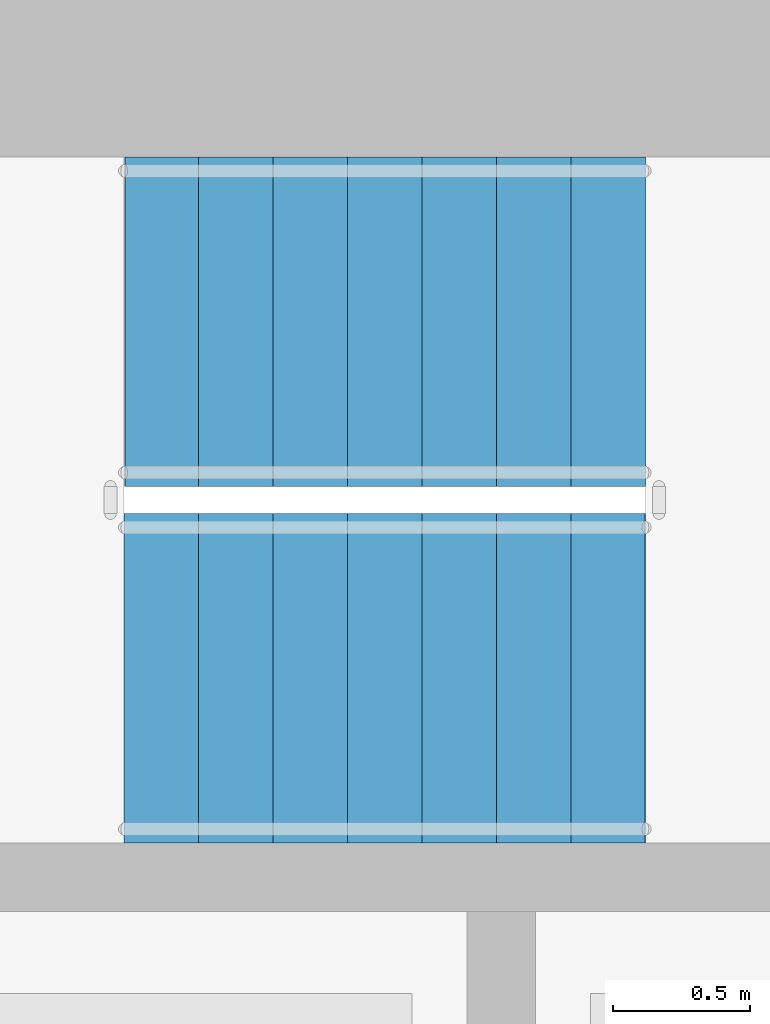
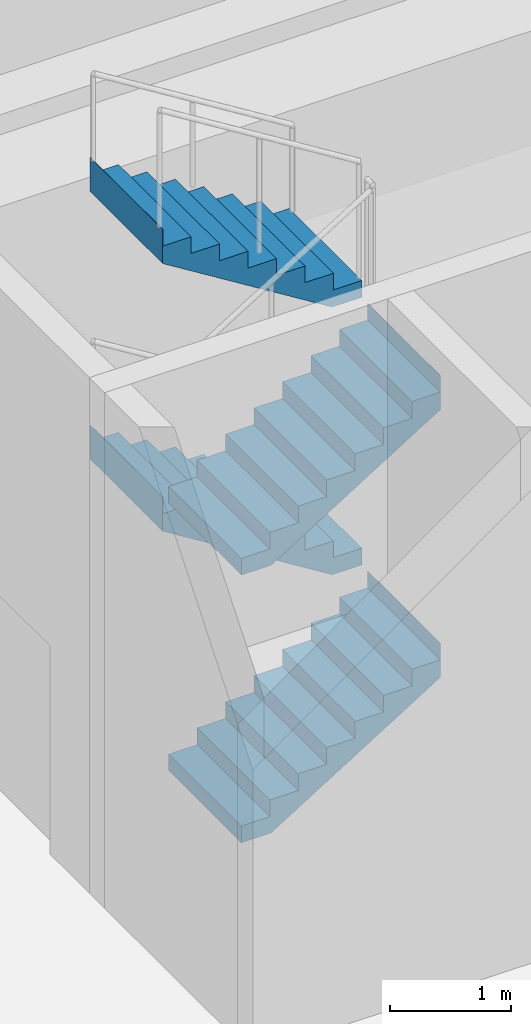
# One storey, part 9 of 18: 4 stair flights, 1 element without a shape of its own.
"""IFC4 building model written with IfcOpenShell, lengths in metres."""

from ifc_helpers import new_model, si_unit, direction, frame, origin, place, context, subcontext, project, spatial, triangles, material, type_object, element, aggregate, save


model = new_model("IFC4")

# Units and contexts
model_context = context("Model", 3, precision=1e-05, world=origin(), true_north=direction((0.0, 1.0)))
body_context = subcontext(model_context, "Body", "Model", "MODEL_VIEW")
ifc_project = project(units=[si_unit("LENGTHUNIT", "METRE"), si_unit("AREAUNIT", "SQUARE_METRE"), si_unit("VOLUMEUNIT", "CUBIC_METRE"), si_unit("PLANEANGLEUNIT", "RADIAN"), si_unit("MASSUNIT", "GRAM", prefix="KILO")], contexts=[model_context])

# Site, building, storey
site_placement = place(None, origin())
site = spatial("IfcSite", under=ifc_project, at=site_placement, CompositionType="ELEMENT")
building_placement = place(site_placement, origin())
building = spatial("IfcBuilding", under=site, at=building_placement, Name="Sahrelin Media Tower", CompositionType="ELEMENT")
storey_placement = place(building_placement, frame((0.0, 0.0, 197.60009765625)))
storey = spatial("IfcBuildingStorey", under=building, at=storey_placement, Name="L42", CompositionType="ELEMENT", Elevation=197.60009765625)

# Stair, stair flights
ifc_material = material(Name="Concrete C40/50", Category="concrete")
stair_type = type_object("IfcStairType", Name="Exit stair 1200", PredefinedType="HALF_TURN_STAIR", material=ifc_material)
stair_placement = place(storey_placement, origin())
stair = element("IfcStair", 1, at=stair_placement, inside=storey, type_object=stair_type, Name="L42 Exit stair ST1", PredefinedType="HALF_TURN_STAIR")
stair_flight_type = type_object("IfcStairFlightType", Name="Stair flight 1200", PredefinedType="STRAIGHT", material=ifc_material)
stair_flight_1_placement = place(storey_placement, frame((-7.675048828125, 4.699951171875, 0.0), z_axis=(0.0, 0.0, 1.0), x_axis=(1.0, 0.0, 0.0)))
stair_flight_1 = element("IfcStairFlight", 2, at=stair_flight_1_placement, type_object=stair_flight_type, Name="ST1 flight 1", NumberOfRisers=8, NumberOfTreads=7, PredefinedType="STRAIGHT", RiserHeight=0.16875, TreadLength=0.271428571, context=body_context, shape_type="Tessellation", body=[
    triangles([(0.283935546875, 0.60009765625, 0.0), (0.283935546875, 0.300048828125, 0.0), (0.283935546875, 0.0, 0.0), (0.283935546875, -0.300048828125, 0.0), (0.283935546875, -0.60009765625, 0.0), (1.89990234375, 0.60009765625, 1.004638671875), (1.89990234375, 0.300048828125, 1.004638671875), (1.89990234375, 0.0, 1.004638671875), (1.89990234375, -0.300048828125, 1.004638671875), (1.89990234375, -0.60009765625, 1.004638671875), (1.89990234375, 0.60009765625, 1.35009765625), (1.89990234375, 0.300048828125, 1.35009765625), (1.89990234375, 0.0, 1.35009765625), (1.89990234375, -0.300048828125, 1.35009765625), (1.89990234375, -0.60009765625, 1.35009765625), (1.89794921875, 0.60009765625, 1.35009765625), (1.89794921875, 0.300048828125, 1.35009765625), (1.89794921875, 0.0, 1.35009765625), (1.89794921875, -0.300048828125, 1.35009765625), (1.89794921875, -0.60009765625, 1.35009765625), (1.89794921875, 0.60009765625, 1.18115234375), (1.89794921875, 0.300048828125, 1.18115234375), (1.89794921875, 0.0, 1.18115234375), (1.89794921875, -0.300048828125, 1.18115234375), (1.89794921875, -0.60009765625, 1.18115234375), (1.628662109375, 0.60009765625, 1.18115234375), (1.628662109375, 0.300048828125, 1.18115234375), (1.628662109375, 0.0, 1.18115234375), (1.628662109375, -0.300048828125, 1.18115234375), (1.628662109375, -0.60009765625, 1.18115234375), (1.628662109375, 0.60009765625, 1.012451171875), (1.628662109375, 0.300048828125, 1.012451171875), (1.628662109375, 0.0, 1.012451171875), (1.628662109375, -0.300048828125, 1.012451171875), (1.628662109375, -0.60009765625, 1.012451171875), (1.357177734375, 0.60009765625, 1.012451171875), (1.357177734375, 0.300048828125, 1.012451171875), (1.357177734375, 0.0, 1.012451171875), (1.357177734375, -0.300048828125, 1.012451171875), (1.357177734375, -0.60009765625, 1.012451171875), (1.357177734375, 0.60009765625, 0.84375), (1.357177734375, 0.300048828125, 0.84375), (1.357177734375, 0.0, 0.84375), (1.357177734375, -0.300048828125, 0.84375), (1.357177734375, -0.60009765625, 0.84375), (1.085693359375, 0.60009765625, 0.84375), (1.085693359375, 0.300048828125, 0.84375), (1.085693359375, 0.0, 0.84375), (1.085693359375, -0.300048828125, 0.84375), (1.085693359375, -0.60009765625, 0.84375), (1.085693359375, 0.60009765625, 0.675048828125), (1.085693359375, 0.300048828125, 0.675048828125), (1.085693359375, 0.0, 0.675048828125), (1.085693359375, -0.300048828125, 0.675048828125), (1.085693359375, -0.60009765625, 0.675048828125), (0.814208984375, 0.60009765625, 0.675048828125), (0.814208984375, 0.300048828125, 0.675048828125), (0.814208984375, 0.0, 0.675048828125), (0.814208984375, -0.300048828125, 0.675048828125), (0.814208984375, -0.60009765625, 0.675048828125), (0.814208984375, 0.60009765625, 0.50634765625), (0.814208984375, 0.300048828125, 0.50634765625), (0.814208984375, 0.0, 0.50634765625), (0.814208984375, -0.300048828125, 0.50634765625), (0.814208984375, -0.60009765625, 0.50634765625), (0.54296875, 0.60009765625, 0.50634765625), (0.54296875, 0.300048828125, 0.50634765625), (0.54296875, 0.0, 0.50634765625), (0.54296875, -0.300048828125, 0.50634765625), (0.54296875, -0.60009765625, 0.50634765625), (0.54296875, 0.60009765625, 0.33740234375), (0.54296875, 0.300048828125, 0.33740234375), (0.54296875, 0.0, 0.33740234375), (0.54296875, -0.300048828125, 0.33740234375), (0.54296875, -0.60009765625, 0.33740234375), (0.271484375, 0.60009765625, 0.33740234375), (0.271484375, 0.300048828125, 0.33740234375), (0.271484375, 0.0, 0.33740234375), (0.271484375, -0.300048828125, 0.33740234375), (0.271484375, -0.60009765625, 0.33740234375), (0.271484375, 0.60009765625, 0.168701171875), (0.271484375, 0.300048828125, 0.168701171875), (0.271484375, 0.0, 0.168701171875), (0.271484375, -0.300048828125, 0.168701171875), (0.271484375, -0.60009765625, 0.168701171875), (0.0, 0.60009765625, 0.168701171875), (0.0, 0.300048828125, 0.168701171875), (0.0, 0.0, 0.168701171875), (0.0, -0.300048828125, 0.168701171875), (0.0, -0.60009765625, 0.168701171875), (0.0, 0.60009765625, 0.0), (0.0, 0.300048828125, 0.0), (0.0, 0.0, 0.0), (0.0, -0.300048828125, 0.0), (0.0, -0.60009765625, 0.0)], [[1, 6, 7], [1, 7, 2], [2, 7, 8], [2, 8, 3], [3, 8, 9], [3, 9, 4], [4, 9, 10], [4, 10, 5], [6, 11, 12], [6, 12, 7], [7, 12, 13], [7, 13, 8], [8, 13, 14], [8, 14, 9], [9, 14, 15], [9, 15, 10], [11, 16, 17], [11, 17, 12], [12, 17, 18], [12, 18, 13], [13, 18, 19], [13, 19, 14], [14, 19, 20], [14, 20, 15], [16, 21, 22], [16, 22, 17], [17, 22, 23], [17, 23, 18], [18, 23, 24], [18, 24, 19], [19, 24, 25], [19, 25, 20], [21, 26, 27], [21, 27, 22], [22, 27, 28], [22, 28, 23], [23, 28, 29], [23, 29, 24], [24, 29, 30], [24, 30, 25], [26, 31, 32], [26, 32, 27], [27, 32, 33], [27, 33, 28], [28, 33, 34], [28, 34, 29], [29, 34, 35], [29, 35, 30], [31, 36, 37], [31, 37, 32], [32, 37, 38], [32, 38, 33], [33, 38, 39], [33, 39, 34], [34, 39, 40], [34, 40, 35], [36, 41, 42], [36, 42, 37], [37, 42, 43], [37, 43, 38], [38, 43, 44], [38, 44, 39], [39, 44, 45], [39, 45, 40], [41, 46, 47], [41, 47, 42], [42, 47, 48], [42, 48, 43], [43, 48, 49], [43, 49, 44], [44, 49, 50], [44, 50, 45], [46, 51, 52], [46, 52, 47], [47, 52, 53], [47, 53, 48], [48, 53, 54], [48, 54, 49], [49, 54, 55], [49, 55, 50], [51, 56, 57], [51, 57, 52], [52, 57, 58], [52, 58, 53], [53, 58, 59], [53, 59, 54], [54, 59, 60], [54, 60, 55], [56, 61, 62], [56, 62, 57], [57, 62, 63], [57, 63, 58], [58, 63, 64], [58, 64, 59], [59, 64, 65], [59, 65, 60], [61, 66, 67], [61, 67, 62], [62, 67, 68], [62, 68, 63], [63, 68, 69], [63, 69, 64], [64, 69, 70], [64, 70, 65], [66, 71, 72], [66, 72, 67], [67, 72, 73], [67, 73, 68], [68, 73, 74], [68, 74, 69], [69, 74, 75], [69, 75, 70], [71, 76, 77], [71, 77, 72], [72, 77, 78], [72, 78, 73], [73, 78, 79], [73, 79, 74], [74, 79, 80], [74, 80, 75], [76, 81, 82], [76, 82, 77], [77, 82, 83], [77, 83, 78], [78, 83, 84], [78, 84, 79], [79, 84, 85], [79, 85, 80], [81, 86, 87], [81, 87, 82], [82, 87, 88], [82, 88, 83], [83, 88, 89], [83, 89, 84], [84, 89, 90], [84, 90, 85], [86, 91, 92], [86, 92, 87], [87, 92, 93], [87, 93, 88], [88, 93, 94], [88, 94, 89], [89, 94, 95], [89, 95, 90], [91, 1, 2], [91, 2, 92], [92, 2, 3], [92, 3, 93], [93, 3, 4], [93, 4, 94], [94, 4, 5], [94, 5, 95], [85, 90, 95], [81, 91, 86], [85, 75, 80], [81, 76, 71], [75, 65, 70], [71, 66, 61], [65, 55, 60], [61, 56, 51], [55, 45, 50], [51, 46, 41], [45, 35, 40], [41, 36, 31], [35, 25, 30], [31, 26, 21], [25, 15, 20], [21, 16, 11], [95, 5, 85], [91, 81, 1], [5, 55, 65], [1, 61, 51], [25, 10, 15], [21, 11, 6], [75, 85, 5], [71, 1, 81], [10, 45, 55], [6, 51, 41], [35, 10, 25], [31, 21, 6], [65, 75, 5], [61, 1, 71], [45, 10, 35], [41, 31, 6], [5, 10, 55], [1, 51, 6]], closed=True),
])
stair_flight_2_placement = place(storey_placement, frame((-5.77490234375, 6.0, 1.349853515625), z_axis=(0.0, 0.0, 1.0), x_axis=(-1.0, 0.0, 0.0)))
stair_flight_2 = element("IfcStairFlight", 3, at=stair_flight_2_placement, type_object=stair_flight_type, Name="ST1 flight 2", NumberOfRisers=8, NumberOfTreads=7, PredefinedType="STRAIGHT", RiserHeight=0.16875, TreadLength=0.271428571, context=body_context, shape_type="Tessellation", body=[
    triangles([(0.283935546875, 0.60009765625, 0.0), (0.283935546875, 0.300048828125, 0.0), (0.283935546875, 0.0, 0.0), (0.283935546875, -0.300048828125, 0.0), (0.283935546875, -0.60009765625, 0.0), (1.89990234375, 0.60009765625, 1.004638671875), (1.89990234375, 0.300048828125, 1.004638671875), (1.89990234375, 0.0, 1.004638671875), (1.89990234375, -0.300048828125, 1.004638671875), (1.89990234375, -0.60009765625, 1.004638671875), (1.89990234375, 0.60009765625, 1.35009765625), (1.89990234375, 0.300048828125, 1.35009765625), (1.89990234375, 0.0, 1.35009765625), (1.89990234375, -0.300048828125, 1.35009765625), (1.89990234375, -0.60009765625, 1.35009765625), (1.89794921875, 0.60009765625, 1.35009765625), (1.89794921875, 0.300048828125, 1.35009765625), (1.89794921875, 0.0, 1.35009765625), (1.89794921875, -0.300048828125, 1.35009765625), (1.89794921875, -0.60009765625, 1.35009765625), (1.89794921875, 0.60009765625, 1.18115234375), (1.89794921875, 0.300048828125, 1.18115234375), (1.89794921875, 0.0, 1.18115234375), (1.89794921875, -0.300048828125, 1.18115234375), (1.89794921875, -0.60009765625, 1.18115234375), (1.628662109375, 0.60009765625, 1.18115234375), (1.628662109375, 0.300048828125, 1.18115234375), (1.628662109375, 0.0, 1.18115234375), (1.628662109375, -0.300048828125, 1.18115234375), (1.628662109375, -0.60009765625, 1.18115234375), (1.628662109375, 0.60009765625, 1.012451171875), (1.628662109375, 0.300048828125, 1.012451171875), (1.628662109375, 0.0, 1.012451171875), (1.628662109375, -0.300048828125, 1.012451171875), (1.628662109375, -0.60009765625, 1.012451171875), (1.357177734375, 0.60009765625, 1.012451171875), (1.357177734375, 0.300048828125, 1.012451171875), (1.357177734375, 0.0, 1.012451171875), (1.357177734375, -0.300048828125, 1.012451171875), (1.357177734375, -0.60009765625, 1.012451171875), (1.357177734375, 0.60009765625, 0.84375), (1.357177734375, 0.300048828125, 0.84375), (1.357177734375, 0.0, 0.84375), (1.357177734375, -0.300048828125, 0.84375), (1.357177734375, -0.60009765625, 0.84375), (1.085693359375, 0.60009765625, 0.84375), (1.085693359375, 0.300048828125, 0.84375), (1.085693359375, 0.0, 0.84375), (1.085693359375, -0.300048828125, 0.84375), (1.085693359375, -0.60009765625, 0.84375), (1.085693359375, 0.60009765625, 0.675048828125), (1.085693359375, 0.300048828125, 0.675048828125), (1.085693359375, 0.0, 0.675048828125), (1.085693359375, -0.300048828125, 0.675048828125), (1.085693359375, -0.60009765625, 0.675048828125), (0.814208984375, 0.60009765625, 0.675048828125), (0.814208984375, 0.300048828125, 0.675048828125), (0.814208984375, 0.0, 0.675048828125), (0.814208984375, -0.300048828125, 0.675048828125), (0.814208984375, -0.60009765625, 0.675048828125), (0.814208984375, 0.60009765625, 0.50634765625), (0.814208984375, 0.300048828125, 0.50634765625), (0.814208984375, 0.0, 0.50634765625), (0.814208984375, -0.300048828125, 0.50634765625), (0.814208984375, -0.60009765625, 0.50634765625), (0.54296875, 0.60009765625, 0.50634765625), (0.54296875, 0.300048828125, 0.50634765625), (0.54296875, 0.0, 0.50634765625), (0.54296875, -0.300048828125, 0.50634765625), (0.54296875, -0.60009765625, 0.50634765625), (0.54296875, 0.60009765625, 0.33740234375), (0.54296875, 0.300048828125, 0.33740234375), (0.54296875, 0.0, 0.33740234375), (0.54296875, -0.300048828125, 0.33740234375), (0.54296875, -0.60009765625, 0.33740234375), (0.271484375, 0.60009765625, 0.33740234375), (0.271484375, 0.300048828125, 0.33740234375), (0.271484375, 0.0, 0.33740234375), (0.271484375, -0.300048828125, 0.33740234375), (0.271484375, -0.60009765625, 0.33740234375), (0.271484375, 0.60009765625, 0.168701171875), (0.271484375, 0.300048828125, 0.168701171875), (0.271484375, 0.0, 0.168701171875), (0.271484375, -0.300048828125, 0.168701171875), (0.271484375, -0.60009765625, 0.168701171875), (0.0, 0.60009765625, 0.168701171875), (0.0, 0.300048828125, 0.168701171875), (0.0, 0.0, 0.168701171875), (0.0, -0.300048828125, 0.168701171875), (0.0, -0.60009765625, 0.168701171875), (0.0, 0.60009765625, 0.0), (0.0, 0.300048828125, 0.0), (0.0, 0.0, 0.0), (0.0, -0.300048828125, 0.0), (0.0, -0.60009765625, 0.0)], [[1, 6, 7], [1, 7, 2], [2, 7, 8], [2, 8, 3], [3, 8, 9], [3, 9, 4], [4, 9, 10], [4, 10, 5], [6, 11, 12], [6, 12, 7], [7, 12, 13], [7, 13, 8], [8, 13, 14], [8, 14, 9], [9, 14, 15], [9, 15, 10], [11, 16, 17], [11, 17, 12], [12, 17, 18], [12, 18, 13], [13, 18, 19], [13, 19, 14], [14, 19, 20], [14, 20, 15], [16, 21, 22], [16, 22, 17], [17, 22, 23], [17, 23, 18], [18, 23, 24], [18, 24, 19], [19, 24, 25], [19, 25, 20], [21, 26, 27], [21, 27, 22], [22, 27, 28], [22, 28, 23], [23, 28, 29], [23, 29, 24], [24, 29, 30], [24, 30, 25], [26, 31, 32], [26, 32, 27], [27, 32, 33], [27, 33, 28], [28, 33, 34], [28, 34, 29], [29, 34, 35], [29, 35, 30], [31, 36, 37], [31, 37, 32], [32, 37, 38], [32, 38, 33], [33, 38, 39], [33, 39, 34], [34, 39, 40], [34, 40, 35], [36, 41, 42], [36, 42, 37], [37, 42, 43], [37, 43, 38], [38, 43, 44], [38, 44, 39], [39, 44, 45], [39, 45, 40], [41, 46, 47], [41, 47, 42], [42, 47, 48], [42, 48, 43], [43, 48, 49], [43, 49, 44], [44, 49, 50], [44, 50, 45], [46, 51, 52], [46, 52, 47], [47, 52, 53], [47, 53, 48], [48, 53, 54], [48, 54, 49], [49, 54, 55], [49, 55, 50], [51, 56, 57], [51, 57, 52], [52, 57, 58], [52, 58, 53], [53, 58, 59], [53, 59, 54], [54, 59, 60], [54, 60, 55], [56, 61, 62], [56, 62, 57], [57, 62, 63], [57, 63, 58], [58, 63, 64], [58, 64, 59], [59, 64, 65], [59, 65, 60], [61, 66, 67], [61, 67, 62], [62, 67, 68], [62, 68, 63], [63, 68, 69], [63, 69, 64], [64, 69, 70], [64, 70, 65], [66, 71, 72], [66, 72, 67], [67, 72, 73], [67, 73, 68], [68, 73, 74], [68, 74, 69], [69, 74, 75], [69, 75, 70], [71, 76, 77], [71, 77, 72], [72, 77, 78], [72, 78, 73], [73, 78, 79], [73, 79, 74], [74, 79, 80], [74, 80, 75], [76, 81, 82], [76, 82, 77], [77, 82, 83], [77, 83, 78], [78, 83, 84], [78, 84, 79], [79, 84, 85], [79, 85, 80], [81, 86, 87], [81, 87, 82], [82, 87, 88], [82, 88, 83], [83, 88, 89], [83, 89, 84], [84, 89, 90], [84, 90, 85], [86, 91, 92], [86, 92, 87], [87, 92, 93], [87, 93, 88], [88, 93, 94], [88, 94, 89], [89, 94, 95], [89, 95, 90], [91, 1, 2], [91, 2, 92], [92, 2, 3], [92, 3, 93], [93, 3, 4], [93, 4, 94], [94, 4, 5], [94, 5, 95], [85, 90, 95], [81, 91, 86], [85, 75, 80], [81, 76, 71], [75, 65, 70], [71, 66, 61], [65, 55, 60], [61, 56, 51], [55, 45, 50], [51, 46, 41], [45, 35, 40], [41, 36, 31], [35, 25, 30], [31, 26, 21], [25, 15, 20], [21, 16, 11], [95, 5, 85], [91, 81, 1], [5, 55, 65], [1, 61, 51], [25, 10, 15], [21, 11, 6], [75, 85, 5], [71, 1, 81], [10, 45, 55], [6, 51, 41], [35, 10, 25], [31, 21, 6], [65, 75, 5], [61, 1, 71], [45, 10, 35], [41, 31, 6], [5, 10, 55], [1, 51, 6]], closed=True),
])
stair_flight_3_placement = place(storey_placement, frame((-7.675048828125, 4.699951171875, 2.699951171875), z_axis=(0.0, 0.0, 1.0), x_axis=(1.0, 0.0, 0.0)))
stair_flight_3 = element("IfcStairFlight", 4, at=stair_flight_3_placement, type_object=stair_flight_type, Name="ST1 flight 3", NumberOfRisers=8, NumberOfTreads=7, PredefinedType="STRAIGHT", RiserHeight=0.16875, TreadLength=0.271428571, context=body_context, shape_type="Tessellation", body=[
    triangles([(0.283935546875, 0.60009765625, 0.0), (0.283935546875, 0.300048828125, 0.0), (0.283935546875, 0.0, 0.0), (0.283935546875, -0.300048828125, 0.0), (0.283935546875, -0.60009765625, 0.0), (1.89990234375, 0.60009765625, 1.004638671875), (1.89990234375, 0.300048828125, 1.004638671875), (1.89990234375, 0.0, 1.004638671875), (1.89990234375, -0.300048828125, 1.004638671875), (1.89990234375, -0.60009765625, 1.004638671875), (1.89990234375, 0.60009765625, 1.35009765625), (1.89990234375, 0.300048828125, 1.35009765625), (1.89990234375, 0.0, 1.35009765625), (1.89990234375, -0.300048828125, 1.35009765625), (1.89990234375, -0.60009765625, 1.35009765625), (1.89794921875, 0.60009765625, 1.35009765625), (1.89794921875, 0.300048828125, 1.35009765625), (1.89794921875, 0.0, 1.35009765625), (1.89794921875, -0.300048828125, 1.35009765625), (1.89794921875, -0.60009765625, 1.35009765625), (1.89794921875, 0.60009765625, 1.18115234375), (1.89794921875, 0.300048828125, 1.18115234375), (1.89794921875, 0.0, 1.18115234375), (1.89794921875, -0.300048828125, 1.18115234375), (1.89794921875, -0.60009765625, 1.18115234375), (1.628662109375, 0.60009765625, 1.18115234375), (1.628662109375, 0.300048828125, 1.18115234375), (1.628662109375, 0.0, 1.18115234375), (1.628662109375, -0.300048828125, 1.18115234375), (1.628662109375, -0.60009765625, 1.18115234375), (1.628662109375, 0.60009765625, 1.012451171875), (1.628662109375, 0.300048828125, 1.012451171875), (1.628662109375, 0.0, 1.012451171875), (1.628662109375, -0.300048828125, 1.012451171875), (1.628662109375, -0.60009765625, 1.012451171875), (1.357177734375, 0.60009765625, 1.012451171875), (1.357177734375, 0.300048828125, 1.012451171875), (1.357177734375, 0.0, 1.012451171875), (1.357177734375, -0.300048828125, 1.012451171875), (1.357177734375, -0.60009765625, 1.012451171875), (1.357177734375, 0.60009765625, 0.84375), (1.357177734375, 0.300048828125, 0.84375), (1.357177734375, 0.0, 0.84375), (1.357177734375, -0.300048828125, 0.84375), (1.357177734375, -0.60009765625, 0.84375), (1.085693359375, 0.60009765625, 0.84375), (1.085693359375, 0.300048828125, 0.84375), (1.085693359375, 0.0, 0.84375), (1.085693359375, -0.300048828125, 0.84375), (1.085693359375, -0.60009765625, 0.84375), (1.085693359375, 0.60009765625, 0.675048828125), (1.085693359375, 0.300048828125, 0.675048828125), (1.085693359375, 0.0, 0.675048828125), (1.085693359375, -0.300048828125, 0.675048828125), (1.085693359375, -0.60009765625, 0.675048828125), (0.814208984375, 0.60009765625, 0.675048828125), (0.814208984375, 0.300048828125, 0.675048828125), (0.814208984375, 0.0, 0.675048828125), (0.814208984375, -0.300048828125, 0.675048828125), (0.814208984375, -0.60009765625, 0.675048828125), (0.814208984375, 0.60009765625, 0.50634765625), (0.814208984375, 0.300048828125, 0.50634765625), (0.814208984375, 0.0, 0.50634765625), (0.814208984375, -0.300048828125, 0.50634765625), (0.814208984375, -0.60009765625, 0.50634765625), (0.54296875, 0.60009765625, 0.50634765625), (0.54296875, 0.300048828125, 0.50634765625), (0.54296875, 0.0, 0.50634765625), (0.54296875, -0.300048828125, 0.50634765625), (0.54296875, -0.60009765625, 0.50634765625), (0.54296875, 0.60009765625, 0.33740234375), (0.54296875, 0.300048828125, 0.33740234375), (0.54296875, 0.0, 0.33740234375), (0.54296875, -0.300048828125, 0.33740234375), (0.54296875, -0.60009765625, 0.33740234375), (0.271484375, 0.60009765625, 0.33740234375), (0.271484375, 0.300048828125, 0.33740234375), (0.271484375, 0.0, 0.33740234375), (0.271484375, -0.300048828125, 0.33740234375), (0.271484375, -0.60009765625, 0.33740234375), (0.271484375, 0.60009765625, 0.168701171875), (0.271484375, 0.300048828125, 0.168701171875), (0.271484375, 0.0, 0.168701171875), (0.271484375, -0.300048828125, 0.168701171875), (0.271484375, -0.60009765625, 0.168701171875), (0.0, 0.60009765625, 0.168701171875), (0.0, 0.300048828125, 0.168701171875), (0.0, 0.0, 0.168701171875), (0.0, -0.300048828125, 0.168701171875), (0.0, -0.60009765625, 0.168701171875), (0.0, 0.60009765625, 0.0), (0.0, 0.300048828125, 0.0), (0.0, 0.0, 0.0), (0.0, -0.300048828125, 0.0), (0.0, -0.60009765625, 0.0)], [[1, 6, 7], [1, 7, 2], [2, 7, 8], [2, 8, 3], [3, 8, 9], [3, 9, 4], [4, 9, 10], [4, 10, 5], [6, 11, 12], [6, 12, 7], [7, 12, 13], [7, 13, 8], [8, 13, 14], [8, 14, 9], [9, 14, 15], [9, 15, 10], [11, 16, 17], [11, 17, 12], [12, 17, 18], [12, 18, 13], [13, 18, 19], [13, 19, 14], [14, 19, 20], [14, 20, 15], [16, 21, 22], [16, 22, 17], [17, 22, 23], [17, 23, 18], [18, 23, 24], [18, 24, 19], [19, 24, 25], [19, 25, 20], [21, 26, 27], [21, 27, 22], [22, 27, 28], [22, 28, 23], [23, 28, 29], [23, 29, 24], [24, 29, 30], [24, 30, 25], [26, 31, 32], [26, 32, 27], [27, 32, 33], [27, 33, 28], [28, 33, 34], [28, 34, 29], [29, 34, 35], [29, 35, 30], [31, 36, 37], [31, 37, 32], [32, 37, 38], [32, 38, 33], [33, 38, 39], [33, 39, 34], [34, 39, 40], [34, 40, 35], [36, 41, 42], [36, 42, 37], [37, 42, 43], [37, 43, 38], [38, 43, 44], [38, 44, 39], [39, 44, 45], [39, 45, 40], [41, 46, 47], [41, 47, 42], [42, 47, 48], [42, 48, 43], [43, 48, 49], [43, 49, 44], [44, 49, 50], [44, 50, 45], [46, 51, 52], [46, 52, 47], [47, 52, 53], [47, 53, 48], [48, 53, 54], [48, 54, 49], [49, 54, 55], [49, 55, 50], [51, 56, 57], [51, 57, 52], [52, 57, 58], [52, 58, 53], [53, 58, 59], [53, 59, 54], [54, 59, 60], [54, 60, 55], [56, 61, 62], [56, 62, 57], [57, 62, 63], [57, 63, 58], [58, 63, 64], [58, 64, 59], [59, 64, 65], [59, 65, 60], [61, 66, 67], [61, 67, 62], [62, 67, 68], [62, 68, 63], [63, 68, 69], [63, 69, 64], [64, 69, 70], [64, 70, 65], [66, 71, 72], [66, 72, 67], [67, 72, 73], [67, 73, 68], [68, 73, 74], [68, 74, 69], [69, 74, 75], [69, 75, 70], [71, 76, 77], [71, 77, 72], [72, 77, 78], [72, 78, 73], [73, 78, 79], [73, 79, 74], [74, 79, 80], [74, 80, 75], [76, 81, 82], [76, 82, 77], [77, 82, 83], [77, 83, 78], [78, 83, 84], [78, 84, 79], [79, 84, 85], [79, 85, 80], [81, 86, 87], [81, 87, 82], [82, 87, 88], [82, 88, 83], [83, 88, 89], [83, 89, 84], [84, 89, 90], [84, 90, 85], [86, 91, 92], [86, 92, 87], [87, 92, 93], [87, 93, 88], [88, 93, 94], [88, 94, 89], [89, 94, 95], [89, 95, 90], [91, 1, 2], [91, 2, 92], [92, 2, 3], [92, 3, 93], [93, 3, 4], [93, 4, 94], [94, 4, 5], [94, 5, 95], [85, 90, 95], [81, 91, 86], [85, 75, 80], [81, 76, 71], [75, 65, 70], [71, 66, 61], [65, 55, 60], [61, 56, 51], [55, 45, 50], [51, 46, 41], [45, 35, 40], [41, 36, 31], [35, 25, 30], [31, 26, 21], [25, 15, 20], [21, 16, 11], [95, 5, 85], [91, 81, 1], [5, 55, 65], [1, 61, 51], [25, 10, 15], [21, 11, 6], [75, 85, 5], [71, 1, 81], [10, 45, 55], [6, 51, 41], [35, 10, 25], [31, 21, 6], [65, 75, 5], [61, 1, 71], [45, 10, 35], [41, 31, 6], [5, 10, 55], [1, 51, 6]], closed=True),
])
stair_flight_4_placement = place(storey_placement, frame((-5.77490234375, 6.0, 4.0498046875), z_axis=(0.0, 0.0, 1.0), x_axis=(-1.0, 0.0, 0.0)))
stair_flight_4 = element("IfcStairFlight", 5, at=stair_flight_4_placement, type_object=stair_flight_type, Name="ST1 flight 4", NumberOfRisers=8, NumberOfTreads=7, PredefinedType="STRAIGHT", RiserHeight=0.16875, TreadLength=0.271428571, context=body_context, shape_type="Tessellation", body=[
    triangles([(0.283935546875, 0.60009765625, 0.0), (0.283935546875, 0.300048828125, 0.0), (0.283935546875, 0.0, 0.0), (0.283935546875, -0.300048828125, 0.0), (0.283935546875, -0.60009765625, 0.0), (1.89990234375, 0.60009765625, 1.004638671875), (1.89990234375, 0.300048828125, 1.004638671875), (1.89990234375, 0.0, 1.004638671875), (1.89990234375, -0.300048828125, 1.004638671875), (1.89990234375, -0.60009765625, 1.004638671875), (1.89990234375, 0.60009765625, 1.35009765625), (1.89990234375, 0.300048828125, 1.35009765625), (1.89990234375, 0.0, 1.35009765625), (1.89990234375, -0.300048828125, 1.35009765625), (1.89990234375, -0.60009765625, 1.35009765625), (1.89794921875, 0.60009765625, 1.35009765625), (1.89794921875, 0.300048828125, 1.35009765625), (1.89794921875, 0.0, 1.35009765625), (1.89794921875, -0.300048828125, 1.35009765625), (1.89794921875, -0.60009765625, 1.35009765625), (1.89794921875, 0.60009765625, 1.18115234375), (1.89794921875, 0.300048828125, 1.18115234375), (1.89794921875, 0.0, 1.18115234375), (1.89794921875, -0.300048828125, 1.18115234375), (1.89794921875, -0.60009765625, 1.18115234375), (1.628662109375, 0.60009765625, 1.18115234375), (1.628662109375, 0.300048828125, 1.18115234375), (1.628662109375, 0.0, 1.18115234375), (1.628662109375, -0.300048828125, 1.18115234375), (1.628662109375, -0.60009765625, 1.18115234375), (1.628662109375, 0.60009765625, 1.012451171875), (1.628662109375, 0.300048828125, 1.012451171875), (1.628662109375, 0.0, 1.012451171875), (1.628662109375, -0.300048828125, 1.012451171875), (1.628662109375, -0.60009765625, 1.012451171875), (1.357177734375, 0.60009765625, 1.012451171875), (1.357177734375, 0.300048828125, 1.012451171875), (1.357177734375, 0.0, 1.012451171875), (1.357177734375, -0.300048828125, 1.012451171875), (1.357177734375, -0.60009765625, 1.012451171875), (1.357177734375, 0.60009765625, 0.84375), (1.357177734375, 0.300048828125, 0.84375), (1.357177734375, 0.0, 0.84375), (1.357177734375, -0.300048828125, 0.84375), (1.357177734375, -0.60009765625, 0.84375), (1.085693359375, 0.60009765625, 0.84375), (1.085693359375, 0.300048828125, 0.84375), (1.085693359375, 0.0, 0.84375), (1.085693359375, -0.300048828125, 0.84375), (1.085693359375, -0.60009765625, 0.84375), (1.085693359375, 0.60009765625, 0.675048828125), (1.085693359375, 0.300048828125, 0.675048828125), (1.085693359375, 0.0, 0.675048828125), (1.085693359375, -0.300048828125, 0.675048828125), (1.085693359375, -0.60009765625, 0.675048828125), (0.814208984375, 0.60009765625, 0.675048828125), (0.814208984375, 0.300048828125, 0.675048828125), (0.814208984375, 0.0, 0.675048828125), (0.814208984375, -0.300048828125, 0.675048828125), (0.814208984375, -0.60009765625, 0.675048828125), (0.814208984375, 0.60009765625, 0.50634765625), (0.814208984375, 0.300048828125, 0.50634765625), (0.814208984375, 0.0, 0.50634765625), (0.814208984375, -0.300048828125, 0.50634765625), (0.814208984375, -0.60009765625, 0.50634765625), (0.54296875, 0.60009765625, 0.50634765625), (0.54296875, 0.300048828125, 0.50634765625), (0.54296875, 0.0, 0.50634765625), (0.54296875, -0.300048828125, 0.50634765625), (0.54296875, -0.60009765625, 0.50634765625), (0.54296875, 0.60009765625, 0.33740234375), (0.54296875, 0.300048828125, 0.33740234375), (0.54296875, 0.0, 0.33740234375), (0.54296875, -0.300048828125, 0.33740234375), (0.54296875, -0.60009765625, 0.33740234375), (0.271484375, 0.60009765625, 0.33740234375), (0.271484375, 0.300048828125, 0.33740234375), (0.271484375, 0.0, 0.33740234375), (0.271484375, -0.300048828125, 0.33740234375), (0.271484375, -0.60009765625, 0.33740234375), (0.271484375, 0.60009765625, 0.168701171875), (0.271484375, 0.300048828125, 0.168701171875), (0.271484375, 0.0, 0.168701171875), (0.271484375, -0.300048828125, 0.168701171875), (0.271484375, -0.60009765625, 0.168701171875), (0.0, 0.60009765625, 0.168701171875), (0.0, 0.300048828125, 0.168701171875), (0.0, 0.0, 0.168701171875), (0.0, -0.300048828125, 0.168701171875), (0.0, -0.60009765625, 0.168701171875), (0.0, 0.60009765625, 0.0), (0.0, 0.300048828125, 0.0), (0.0, 0.0, 0.0), (0.0, -0.300048828125, 0.0), (0.0, -0.60009765625, 0.0)], [[1, 6, 7], [1, 7, 2], [2, 7, 8], [2, 8, 3], [3, 8, 9], [3, 9, 4], [4, 9, 10], [4, 10, 5], [6, 11, 12], [6, 12, 7], [7, 12, 13], [7, 13, 8], [8, 13, 14], [8, 14, 9], [9, 14, 15], [9, 15, 10], [11, 16, 17], [11, 17, 12], [12, 17, 18], [12, 18, 13], [13, 18, 19], [13, 19, 14], [14, 19, 20], [14, 20, 15], [16, 21, 22], [16, 22, 17], [17, 22, 23], [17, 23, 18], [18, 23, 24], [18, 24, 19], [19, 24, 25], [19, 25, 20], [21, 26, 27], [21, 27, 22], [22, 27, 28], [22, 28, 23], [23, 28, 29], [23, 29, 24], [24, 29, 30], [24, 30, 25], [26, 31, 32], [26, 32, 27], [27, 32, 33], [27, 33, 28], [28, 33, 34], [28, 34, 29], [29, 34, 35], [29, 35, 30], [31, 36, 37], [31, 37, 32], [32, 37, 38], [32, 38, 33], [33, 38, 39], [33, 39, 34], [34, 39, 40], [34, 40, 35], [36, 41, 42], [36, 42, 37], [37, 42, 43], [37, 43, 38], [38, 43, 44], [38, 44, 39], [39, 44, 45], [39, 45, 40], [41, 46, 47], [41, 47, 42], [42, 47, 48], [42, 48, 43], [43, 48, 49], [43, 49, 44], [44, 49, 50], [44, 50, 45], [46, 51, 52], [46, 52, 47], [47, 52, 53], [47, 53, 48], [48, 53, 54], [48, 54, 49], [49, 54, 55], [49, 55, 50], [51, 56, 57], [51, 57, 52], [52, 57, 58], [52, 58, 53], [53, 58, 59], [53, 59, 54], [54, 59, 60], [54, 60, 55], [56, 61, 62], [56, 62, 57], [57, 62, 63], [57, 63, 58], [58, 63, 64], [58, 64, 59], [59, 64, 65], [59, 65, 60], [61, 66, 67], [61, 67, 62], [62, 67, 68], [62, 68, 63], [63, 68, 69], [63, 69, 64], [64, 69, 70], [64, 70, 65], [66, 71, 72], [66, 72, 67], [67, 72, 73], [67, 73, 68], [68, 73, 74], [68, 74, 69], [69, 74, 75], [69, 75, 70], [71, 76, 77], [71, 77, 72], [72, 77, 78], [72, 78, 73], [73, 78, 79], [73, 79, 74], [74, 79, 80], [74, 80, 75], [76, 81, 82], [76, 82, 77], [77, 82, 83], [77, 83, 78], [78, 83, 84], [78, 84, 79], [79, 84, 85], [79, 85, 80], [81, 86, 87], [81, 87, 82], [82, 87, 88], [82, 88, 83], [83, 88, 89], [83, 89, 84], [84, 89, 90], [84, 90, 85], [86, 91, 92], [86, 92, 87], [87, 92, 93], [87, 93, 88], [88, 93, 94], [88, 94, 89], [89, 94, 95], [89, 95, 90], [91, 1, 2], [91, 2, 92], [92, 2, 3], [92, 3, 93], [93, 3, 4], [93, 4, 94], [94, 4, 5], [94, 5, 95], [85, 90, 95], [81, 91, 86], [85, 75, 80], [81, 76, 71], [75, 65, 70], [71, 66, 61], [65, 55, 60], [61, 56, 51], [55, 45, 50], [51, 46, 41], [45, 35, 40], [41, 36, 31], [35, 25, 30], [31, 26, 21], [25, 15, 20], [21, 16, 11], [95, 5, 85], [91, 81, 1], [5, 55, 65], [1, 61, 51], [25, 10, 15], [21, 11, 6], [75, 85, 5], [71, 1, 81], [10, 45, 55], [6, 51, 41], [35, 10, 25], [31, 21, 6], [65, 75, 5], [61, 1, 71], [45, 10, 35], [41, 31, 6], [5, 10, 55], [1, 51, 6]], closed=True),
])
aggregate(stair, [stair_flight_1, stair_flight_2, stair_flight_3, stair_flight_4])

save(model, "model.ifc")
